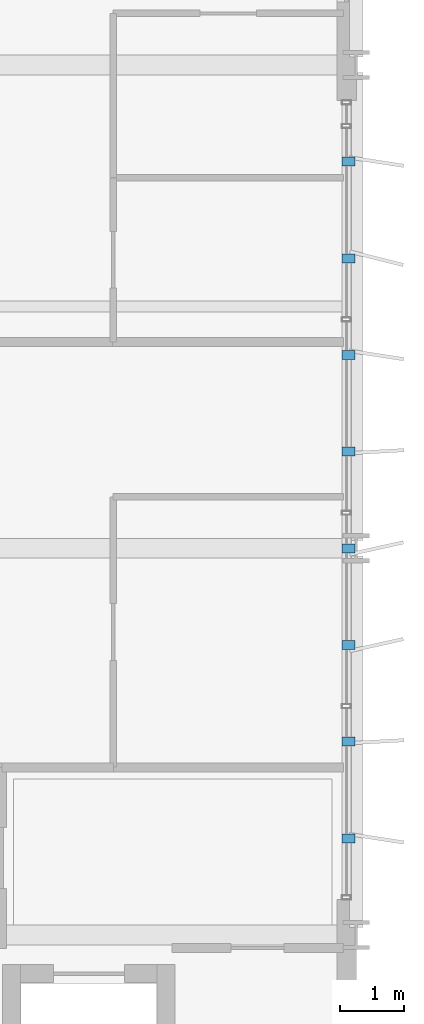
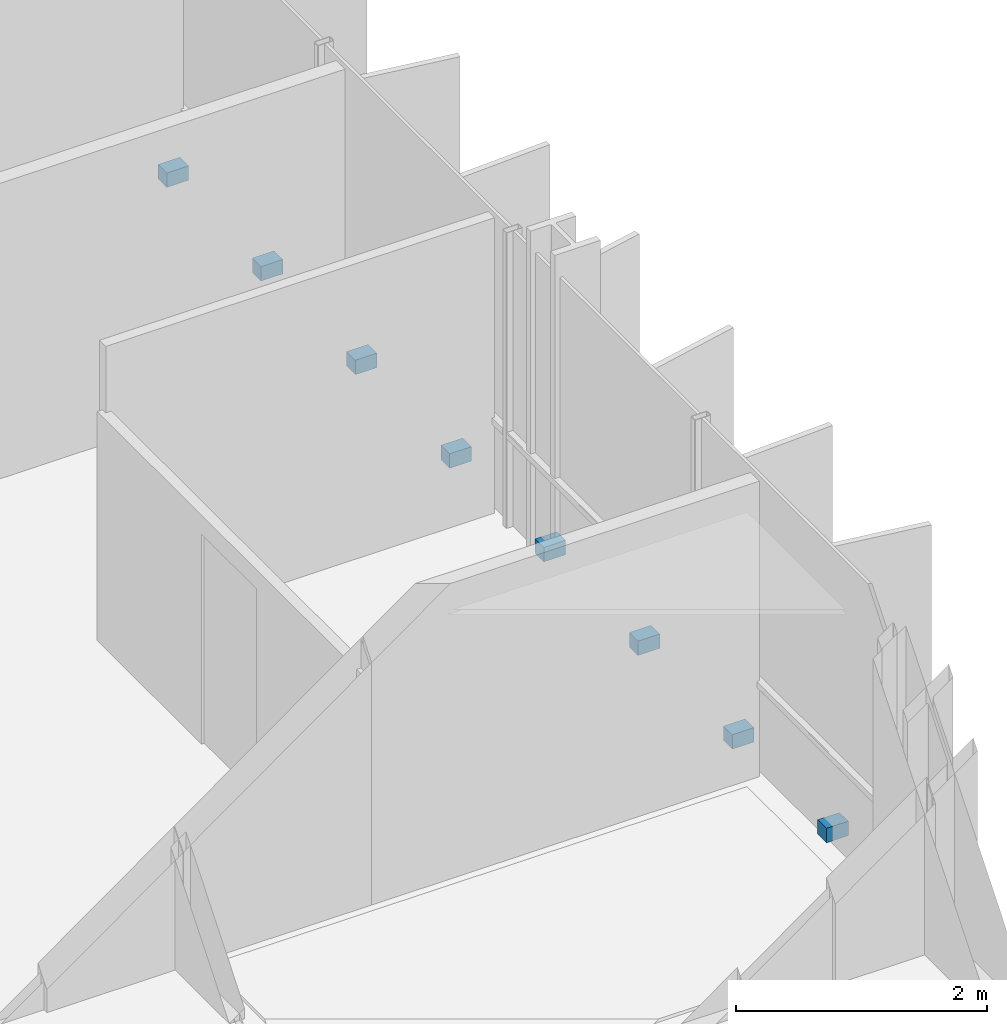
# One storey, part 35 of 39: 8 discrete accessories.
"""IFC4 building model written with IfcOpenShell, lengths in metres."""

from ifc_helpers import new_model, si_unit, direction, frame, origin, origin_2d, place, context, subcontext, project, spatial, rectangle, extrude, material, type_object, element, save


model = new_model("IFC4")

# Units and contexts
model_context = context("Model", 3, precision=1e-05, world=origin(), true_north=direction((0.0, 1.0)))
body_context = subcontext(model_context, "Body", "Model", "MODEL_VIEW")
ifc_project = project(units=[si_unit("LENGTHUNIT", "METRE"), si_unit("AREAUNIT", "SQUARE_METRE"), si_unit("VOLUMEUNIT", "CUBIC_METRE"), si_unit("PLANEANGLEUNIT", "RADIAN"), si_unit("MASSUNIT", "GRAM", prefix="KILO")], contexts=[model_context])

# Site, building, storey
site_placement = place(None, origin())
site = spatial("IfcSite", under=ifc_project, at=site_placement, CompositionType="ELEMENT")
building_placement = place(site_placement, origin())
building = spatial("IfcBuilding", under=site, at=building_placement, Name="Brevholm Reach", CompositionType="ELEMENT")
storey_placement = place(building_placement, frame((0.0, 0.0, 83.800048828125)))
storey = spatial("IfcBuildingStorey", under=building, at=storey_placement, Name="L24", CompositionType="ELEMENT", Elevation=83.800048828125)

# Discrete accessories
ifc_material = material(Name="Duplex Stainless Steel EN 1.4462", Category="steel")
discrete_accessory_type = type_object("IfcDiscreteAccessoryType", Name="ACC-BRK-01", PredefinedType="BRACKET", material=ifc_material)
for number, where, z_axis, x_axis, name in (
    (1, (59.8798828125, 11.5, 0.02978515625), (0.0, 0.0, 1.0), (1.0, 0.0, 0.0), "L24 Solar Screen Support Bracket 1"),
    (2, (59.8798828125, 13.0, 0.02978515625), (0.0, 0.0, 1.0), (1.0, 0.0, 0.0), "L24 Solar Screen Support Bracket 2"),
    (3, (59.8798828125, 14.5, 0.02978515625), (0.0, 0.0, 1.0), (1.0, 0.0, 0.0), "L24 Solar Screen Support Bracket 3"),
    (4, (59.8798828125, 16.0, 0.02978515625), (0.0, 0.0, 1.0), (1.0, 0.0, 0.0), "L24 Solar Screen Support Bracket 4"),
    (5, (59.8798828125, 17.5, 0.02978515625), (0.0, 0.0, 1.0), (1.0, 0.0, 0.0), "L24 Solar Screen Support Bracket 5"),
    (6, (59.8798828125, 19.0, 0.02978515625), (0.0, 0.0, 1.0), (1.0, 0.0, 0.0), "L24 Solar Screen Support Bracket 6"),
    (7, (59.8798828125, 20.5, 0.02978515625), (0.0, 0.0, 1.0), (1.0, 0.0, 0.0), "L24 Solar Screen Support Bracket 7"),
    (8, (59.8798828125, 22.0, 0.02978515625), (0.0, 0.0, 1.0), (1.0, 0.0, 0.0), "L24 Solar Screen Support Bracket 8"),
):
    element("IfcDiscreteAccessory", number, at=place(storey_placement, frame(where, z_axis=z_axis, x_axis=x_axis)), inside=storey, type_object=discrete_accessory_type, Name=name, PredefinedType="BRACKET", context=body_context, shape_type="SweptSolid", body=[
        extrude(rectangle(XDim=0.199951171875, YDim=0.139892578125, at=origin_2d()), origin(), (0.0, 0.0, 1.0), 0.139892578125),
    ])

save(model, "model.ifc")
